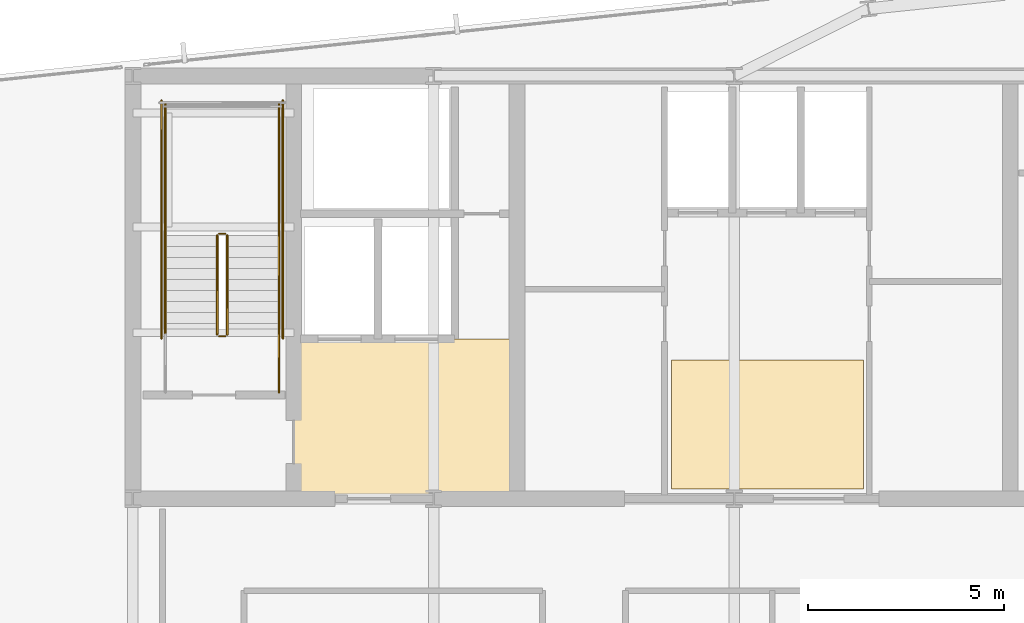
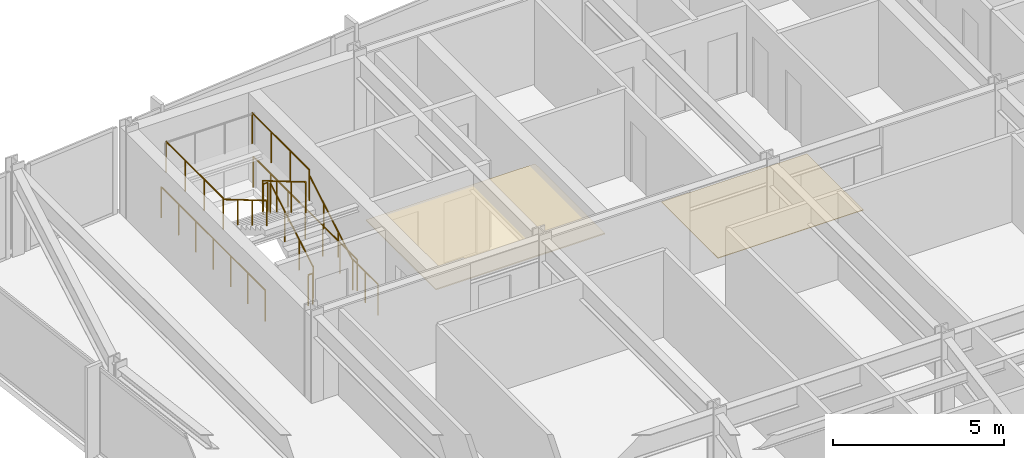
# One storey, part 30 of 32: 11 railings, 2 coverings.
"""IFC4 building model written with IfcOpenShell, lengths in metres."""

from ifc_helpers import new_model, si_unit, direction, frame, origin, origin_2d, place, context, subcontext, project, spatial, polyline, circle, outline, extrude, material, layer, layer_set, type_object, element, save


model = new_model("IFC4")

# Units and contexts
model_context = context("Model", 3, precision=1e-05, world=origin(), true_north=direction((0.0, 1.0)))
body_context = subcontext(model_context, "Body", "Model", "MODEL_VIEW")
ifc_project = project(units=[si_unit("LENGTHUNIT", "METRE"), si_unit("AREAUNIT", "SQUARE_METRE"), si_unit("VOLUMEUNIT", "CUBIC_METRE"), si_unit("PLANEANGLEUNIT", "RADIAN"), si_unit("MASSUNIT", "GRAM", prefix="KILO")], contexts=[model_context])

# Site, building, storey
site_placement = place(None, origin())
site = spatial("IfcSite", under=ifc_project, at=site_placement, CompositionType="ELEMENT")
building_placement = place(site_placement, origin())
building = spatial("IfcBuilding", under=site, at=building_placement, Name="Yelkora Congress Tower", CompositionType="ELEMENT")
storey_placement = place(building_placement, frame((0.0, 0.0, 211.10009765625)))
storey = spatial("IfcBuildingStorey", under=building, at=storey_placement, Name="L58", CompositionType="ELEMENT", Elevation=211.10009765625)

# Coverings
ifc_material_1 = material(Name="Perforated mineral-fibre acoustic ceiling", Category="gypsum")
ifc_layer_1 = layer(ifc_material_1, 0.0400390625)
ifc_layer_set_1 = layer_set([ifc_layer_1], Name="Perforated mineral-fibre acoustic ceiling")
covering_type_1 = type_object("IfcCoveringType", Name="COV-CEIL-ACOUSTIC-40", PredefinedType="CEILING", material=ifc_layer_set_1)
covering_1_placement = place(storey_placement, frame((0.0, 0.0, 2.39990234375)))
element("IfcCovering", 1, at=covering_1_placement, inside=storey, type_object=covering_type_1, Name="L58 Firefighting Lobby Acoustic Ceiling", PredefinedType="CEILING", context=body_context, shape_type="SweptSolid", body=[
    extrude(outline(polyline([(27.14990234375, 35.39990234375), (32.85009765625, 35.39990234375), (32.85009765625, 39.47998046875), (27.14990234375, 39.47998046875), (27.14990234375, 35.39990234375)])), origin(), (0.0, 0.0, 1.0), 0.0400390625),
])
ifc_material_2 = material(Name="Polished Anatolian grey granite tile", Category="masonry")
ifc_layer_2 = layer(ifc_material_2, 0.02001953125)
ifc_layer_set_2 = layer_set([ifc_layer_2], Name="Polished Anatolian grey granite tile")
covering_type_2 = type_object("IfcCoveringType", Name="COV-FLOOR-GRANITE-20", PredefinedType="FLOORING", material=ifc_layer_set_2)
covering_2_placement = place(storey_placement, origin())
element("IfcCovering", 2, at=covering_2_placement, inside=storey, type_object=covering_type_2, Name="L58 Lift Lobby Granite Flooring", PredefinedType="FLOORING", context=body_context, shape_type="SweptSolid", body=[
    extrude(outline(polyline([(36.800048828125, 35.64990234375), (41.699951171875, 35.64990234375), (41.699951171875, 38.949951171875), (36.800048828125, 38.949951171875), (36.800048828125, 35.64990234375)])), origin(), (0.0, 0.0, 1.0), 0.02001953125),
])

# Railings
ifc_material_3 = material(Name="Painted galvanised steel stair well guard with vertical infill", Category="steel")
ifc_layer_3 = layer(ifc_material_3, 0.06005859375)
ifc_layer_set_3 = layer_set([ifc_layer_3], Name="Painted galvanised steel stair well guard with vertical infill")
railing_type_1 = type_object("IfcRailingType", Name="RAIL-STAIR-GUARD-1120", PredefinedType="GUARDRAIL", material=ifc_layer_set_3)
railing_1_placement = place(storey_placement, frame((25.449951171875, 39.60009765625, 0.164794921875)))
element("IfcRailing", 3, at=railing_1_placement, inside=storey, type_object=railing_type_1, Name="ST-01 L58 Stair Well Guardrail 1", PredefinedType="GUARDRAIL", context=body_context, shape_type="SweptSolid", body=[
    extrude(circle(Radius=0.02392578125, at=origin_2d()), frame((0.0, 0.0, 1.09619140625), z_axis=(0.0, 0.86152411907, 0.507716645641), x_axis=(-1.0, 0.0, 0.0)), (0.0, 0.0, 1.0), 2.925048828125),
    extrude(circle(Radius=0.02099609375, at=origin_2d()), origin(), (0.0, 0.0, 1.0), 1.072021484375),
    extrude(circle(Radius=0.02099609375, at=origin_2d()), frame((0.0, 0.840087890625, 0.4951171875)), (0.0, 0.0, 1.0), 1.072021484375),
    extrude(circle(Radius=0.02099609375, at=origin_2d()), frame((0.0, 1.679931640625, 0.989990234375)), (0.0, 0.0, 1.0), 1.072021484375),
    extrude(circle(Radius=0.02099609375, at=origin_2d()), frame((0.0, 2.52001953125, 1.485107421875)), (0.0, 0.0, 1.0), 1.072021484375),
])
railing_2_placement = place(storey_placement, frame((25.39990234375, 42.169921875, 1.64990234375)))
element("IfcRailing", 4, at=railing_2_placement, inside=storey, type_object=railing_type_1, Name="ST-01 L58 Stair Well Guardrail 2", PredefinedType="GUARDRAIL", context=body_context, shape_type="SweptSolid", body=[
    extrude(circle(Radius=0.02392578125, at=origin_2d()), frame((0.0, 0.0, 1.09619140625), z_axis=(-1.0, 0.0, 0.0), x_axis=(0.0, -1.0, 0.0)), (0.0, 0.0, 1.0), 0.159912109375),
    extrude(circle(Radius=0.02099609375, at=origin_2d()), origin(), (0.0, 0.0, 1.0), 1.072021484375),
    extrude(circle(Radius=0.02099609375, at=origin_2d()), frame((-0.159912109375, 0.0, 0.0)), (0.0, 0.0, 1.0), 1.072021484375),
])
for number, where, name in (
    (5, (26.77001953125, 42.1201171875, 1.64990234375), "ST-01 L58 Stair Well Guardrail 3"),
    (6, (23.8701171875, 42.1201171875, 1.64990234375), "ST-01 L58 Stair Well Guardrail 4"),
):
    element("IfcRailing", number, at=place(storey_placement, frame(where)), inside=storey, type_object=railing_type_1, Name=name, PredefinedType="GUARDRAIL", context=body_context, shape_type="SweptSolid", body=[
        extrude(circle(Radius=0.02392578125, at=origin_2d()), frame((0.0, 0.0, 1.09619140625), z_axis=(0.0, 1.0, 0.0), x_axis=(-1.0, 0.0, 0.0)), (0.0, 0.0, 1.0), 3.349853515625),
        extrude(circle(Radius=0.02099609375, at=origin_2d()), origin(), (0.0, 0.0, 1.0), 1.072021484375),
        extrude(circle(Radius=0.02099609375, at=origin_2d()), frame((0.0, 1.11669921875, 0.0)), (0.0, 0.0, 1.0), 1.072021484375),
        extrude(circle(Radius=0.02099609375, at=origin_2d()), frame((0.0, 2.233154296875, 0.0)), (0.0, 0.0, 1.0), 1.072021484375),
        extrude(circle(Radius=0.02099609375, at=origin_2d()), frame((0.0, 3.349853515625, 0.0)), (0.0, 0.0, 1.0), 1.072021484375),
    ])
railing_3_placement = place(storey_placement, frame((25.18994140625, 42.1201171875, 1.81494140625)))
element("IfcRailing", 7, at=railing_3_placement, inside=storey, type_object=railing_type_1, Name="ST-01 L58 Stair Well Guardrail 6", PredefinedType="GUARDRAIL", context=body_context, shape_type="SweptSolid", body=[
    extrude(circle(Radius=0.02392578125, at=origin_2d()), frame((0.0, 0.0, 1.09619140625), z_axis=(0.0, -0.861560626758, 0.507654692109), x_axis=(1.0, 0.0, 0.0)), (0.0, 0.0, 1.0), 2.925048828125),
    extrude(circle(Radius=0.02099609375, at=origin_2d()), origin(), (0.0, 0.0, 1.0), 1.072021484375),
    extrude(circle(Radius=0.02099609375, at=origin_2d()), frame((0.0, -0.840087890625, 0.494873046875)), (0.0, 0.0, 1.0), 1.072021484375),
    extrude(circle(Radius=0.02099609375, at=origin_2d()), frame((0.0, -1.679931640625, 0.989990234375)), (0.0, 0.0, 1.0), 1.072021484375),
    extrude(circle(Radius=0.02099609375, at=origin_2d()), frame((0.0, -2.52001953125, 1.48486328125)), (0.0, 0.0, 1.0), 1.072021484375),
])
railing_4_placement = place(storey_placement, frame((25.39990234375, 39.550048828125, 0.0)))
element("IfcRailing", 8, at=railing_4_placement, inside=storey, type_object=railing_type_1, Name="ST-01 L58 Stair Well Guardrail 7", PredefinedType="GUARDRAIL", context=body_context, shape_type="SweptSolid", body=[
    extrude(circle(Radius=0.02392578125, at=origin_2d()), frame((0.0, 0.0, 1.09619140625), z_axis=(-1.0, 0.0, 0.0), x_axis=(0.0, -1.0, 0.0)), (0.0, 0.0, 1.0), 0.159912109375),
    extrude(circle(Radius=0.02099609375, at=origin_2d()), origin(), (0.0, 0.0, 1.0), 1.072021484375),
    extrude(circle(Radius=0.02099609375, at=origin_2d()), frame((-0.159912109375, 0.0, 0.0)), (0.0, 0.0, 1.0), 1.072021484375),
])
railing_5_placement = place(storey_placement, frame((26.77001953125, 38.1201171875, 0.0)))
element("IfcRailing", 9, at=railing_5_placement, inside=storey, type_object=railing_type_1, Name="ST-01 L58 Stair Well Guardrail 8", PredefinedType="GUARDRAIL", context=body_context, shape_type="SweptSolid", body=[
    extrude(circle(Radius=0.02392578125, at=origin_2d()), frame((0.0, 0.0, 1.09619140625), z_axis=(0.0, 1.0, 0.0), x_axis=(-1.0, 0.0, 0.0)), (0.0, 0.0, 1.0), 1.47998046875),
    extrude(circle(Radius=0.02099609375, at=origin_2d()), origin(), (0.0, 0.0, 1.0), 1.072021484375),
    extrude(circle(Radius=0.02099609375, at=origin_2d()), frame((0.0, 0.739990234375, 0.0)), (0.0, 0.0, 1.0), 1.072021484375),
    extrude(circle(Radius=0.02099609375, at=origin_2d()), frame((0.0, 1.47998046875, 0.0)), (0.0, 0.0, 1.0), 1.072021484375),
])
for number, where, name in (
    (10, (26.8701171875, 39.5, 0.0), "ST-01 L58 Stair Well Guardrail 10"),
    (11, (23.77001953125, 39.5, 0.0), "ST-01 L58 Stair Well Guardrail 11"),
):
    element("IfcRailing", number, at=place(storey_placement, frame(where)), inside=storey, type_object=railing_type_1, Name=name, PredefinedType="GUARDRAIL", context=body_context, shape_type="SweptSolid", body=[
        extrude(circle(Radius=0.02392578125, at=origin_2d()), frame((0.0, 0.0, 1.09619140625), z_axis=(0.0, 1.0, 0.0), x_axis=(-1.0, 0.0, 0.0)), (0.0, 0.0, 1.0), 6.070068359375),
        extrude(circle(Radius=0.02099609375, at=origin_2d()), origin(), (0.0, 0.0, 1.0), 1.072021484375),
        extrude(circle(Radius=0.02099609375, at=origin_2d()), frame((0.0, 1.01171875, 0.0)), (0.0, 0.0, 1.0), 1.072021484375),
        extrude(circle(Radius=0.02099609375, at=origin_2d()), frame((0.0, 2.0234375, 0.0)), (0.0, 0.0, 1.0), 1.072021484375),
        extrude(circle(Radius=0.02099609375, at=origin_2d()), frame((0.0, 3.03515625, 0.0)), (0.0, 0.0, 1.0), 1.072021484375),
        extrude(circle(Radius=0.02099609375, at=origin_2d()), frame((0.0, 4.046630859375, 0.0)), (0.0, 0.0, 1.0), 1.072021484375),
        extrude(circle(Radius=0.02099609375, at=origin_2d()), frame((0.0, 5.058349609375, 0.0)), (0.0, 0.0, 1.0), 1.072021484375),
        extrude(circle(Radius=0.02099609375, at=origin_2d()), frame((0.0, 6.070068359375, 0.0)), (0.0, 0.0, 1.0), 1.072021484375),
    ])
ifc_material_4 = material(Name="Brushed stainless steel tubular handrail", Category="steel")
ifc_layer_4 = layer(ifc_material_4, 0.050048828125)
ifc_layer_set_4 = layer_set([ifc_layer_4], Name="Brushed stainless steel tubular handrail")
railing_type_2 = type_object("IfcRailingType", Name="RAIL-STAIR-HAND-920", PredefinedType="HANDRAIL", material=ifc_layer_set_4)
railing_6_placement = place(storey_placement, frame((26.77001953125, 39.60009765625, 0.164794921875)))
element("IfcRailing", 12, at=railing_6_placement, inside=storey, type_object=railing_type_2, Name="ST-01 L58 Pitch Handrail 1", PredefinedType="HANDRAIL", context=body_context, shape_type="SweptSolid", body=[
    extrude(circle(Radius=0.02392578125, at=origin_2d()), frame((0.0, 0.0, 0.89599609375), z_axis=(0.0, 0.86152411907, 0.507716645641), x_axis=(-1.0, 0.0, 0.0)), (0.0, 0.0, 1.0), 2.925048828125),
    extrude(circle(Radius=0.02099609375, at=origin_2d()), origin(), (0.0, 0.0, 1.0), 0.871826171875),
    extrude(circle(Radius=0.02099609375, at=origin_2d()), frame((0.0, 0.840087890625, 0.4951171875)), (0.0, 0.0, 1.0), 0.871826171875),
    extrude(circle(Radius=0.02099609375, at=origin_2d()), frame((0.0, 1.679931640625, 0.989990234375)), (0.0, 0.0, 1.0), 0.871826171875),
    extrude(circle(Radius=0.02099609375, at=origin_2d()), frame((0.0, 2.52001953125, 1.485107421875)), (0.0, 0.0, 1.0), 0.871826171875),
])
railing_7_placement = place(storey_placement, frame((23.8701171875, 42.1201171875, 1.81494140625)))
element("IfcRailing", 13, at=railing_7_placement, inside=storey, type_object=railing_type_2, Name="ST-01 L58 Pitch Handrail 2", PredefinedType="HANDRAIL", context=body_context, shape_type="SweptSolid", body=[
    extrude(circle(Radius=0.02392578125, at=origin_2d()), frame((0.0, 0.0, 0.89599609375), z_axis=(0.0, -0.861560626758, 0.507654692109), x_axis=(1.0, 0.0, 0.0)), (0.0, 0.0, 1.0), 2.925048828125),
    extrude(circle(Radius=0.02099609375, at=origin_2d()), origin(), (0.0, 0.0, 1.0), 0.871826171875),
    extrude(circle(Radius=0.02099609375, at=origin_2d()), frame((0.0, -0.840087890625, 0.494873046875)), (0.0, 0.0, 1.0), 0.871826171875),
    extrude(circle(Radius=0.02099609375, at=origin_2d()), frame((0.0, -1.679931640625, 0.989990234375)), (0.0, 0.0, 1.0), 0.871826171875),
    extrude(circle(Radius=0.02099609375, at=origin_2d()), frame((0.0, -2.52001953125, 1.48486328125)), (0.0, 0.0, 1.0), 0.871826171875),
])

save(model, "model.ifc")
